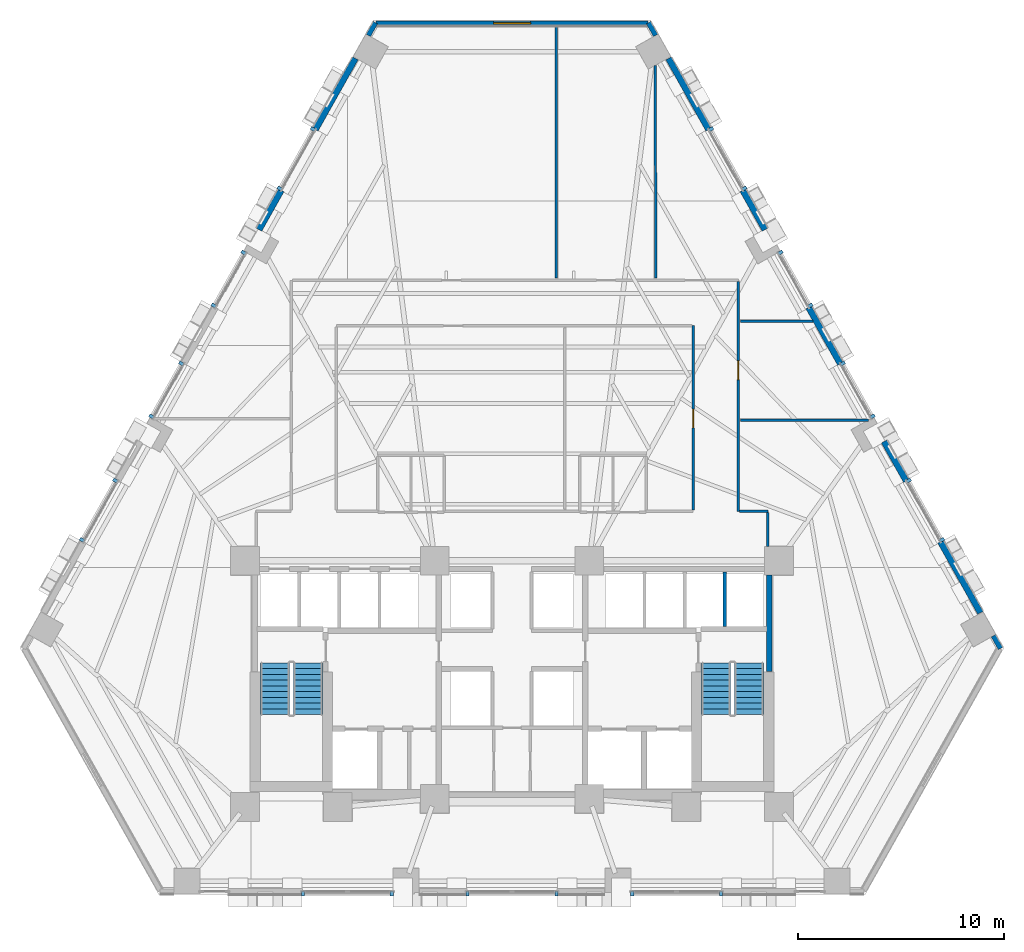
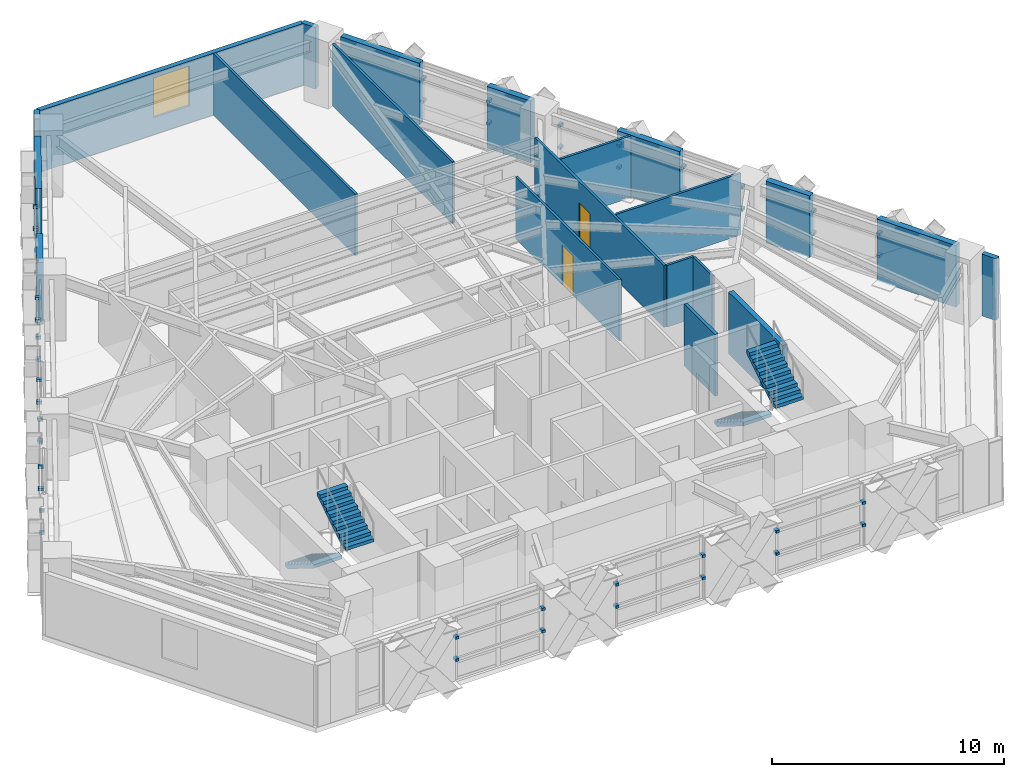
# One storey, part 9 of 13: 44 discrete accessories, 21 walls, 4 stair flights, 2 doors, 1 window, 3 openings, 2 elements without a shape of their own.
"""IFC4 building model written with IfcOpenShell, lengths in metres."""

from ifc_helpers import new_model, si_unit, direction, frame, frame_2d, origin, origin_2d, place, context, subcontext, project, spatial, polyline, rectangle, outline, extrude, material, layer, layer_set, type_object, element, fill, aggregate, save


model = new_model("IFC4")

# Units and contexts
model_context = context("Model", 3, precision=1e-05, world=origin(), true_north=direction((0.0, 1.0)))
body_context = subcontext(model_context, "Body", "Model", "MODEL_VIEW")
ifc_project = project(units=[si_unit("LENGTHUNIT", "METRE"), si_unit("AREAUNIT", "SQUARE_METRE"), si_unit("VOLUMEUNIT", "CUBIC_METRE"), si_unit("PLANEANGLEUNIT", "RADIAN"), si_unit("MASSUNIT", "GRAM", prefix="KILO")], contexts=[model_context])

# Site, building, storey
site_placement = place(None, origin())
site = spatial("IfcSite", under=ifc_project, at=site_placement, CompositionType="ELEMENT")
building_placement = place(site_placement, origin())
building = spatial("IfcBuilding", under=site, at=building_placement, Name="Quenlor Broadcast Tower", CompositionType="ELEMENT")
storey_placement = place(building_placement, frame((0.0, 0.0, 52.10009765625)))
storey = spatial("IfcBuildingStorey", under=building, at=storey_placement, Name="L13", CompositionType="ELEMENT", Elevation=52.10009765625)

# Walls
ifc_material_1 = material(Name="Concrete C40/50", Category="concrete")
ifc_layer_1 = layer(ifc_material_1, 0.25)
ifc_layer_set_1 = layer_set([ifc_layer_1], Name="Fire Rated Concrete C40/50 Core Wall 250")
wall_type_1 = type_object("IfcWallType", Name="Fire Rated Concrete C40/50 Core Wall 250", PredefinedType="PARTITIONING", material=ifc_layer_set_1)
wall_1_placement = place(storey_placement, frame((12.47998046875, -10.179931640625, 0.0), z_axis=(0.0, 0.0, 1.0), x_axis=(0.0, 1.0, 0.0)))
element("IfcWall", 1, at=wall_1_placement, inside=storey, type_object=wall_type_1, Name="L13 Interior Wall CW-ST2-E2", PredefinedType="PARTITIONING", context=body_context, shape_type="SweptSolid", body=[
    extrude(rectangle(XDim=4.677978515625, YDim=0.25, at=frame_2d((2.3388671875, 0.0))), origin(), (0.0, 0.0, 1.0), 3.25),
])
ifc_material_2 = material(Name="Gypsum Fireboard Partition", Category="other")
ifc_layer_2 = layer(ifc_material_2, 0.159912109375)
ifc_layer_set_2 = layer_set([ifc_layer_2], Name="Fire Rated Shaft and Corridor Partition 160")
wall_type_2 = type_object("IfcWallType", Name="Fire Rated Shaft and Corridor Partition 160", PredefinedType="PARTITIONING", material=ifc_layer_set_2)
wall_2_placement = place(storey_placement, frame((10.324951171875, -7.992919921875, 0.0), z_axis=(0.0, 0.0, 1.0), x_axis=(0.0, 1.0, 0.0)))
element("IfcWall", 2, at=wall_2_placement, inside=storey, type_object=wall_type_2, Name="L13 Interior Wall CW-PLH-D3", PredefinedType="PARTITIONING", context=body_context, shape_type="SweptSolid", body=[
    extrude(rectangle(XDim=2.65283203125, YDim=0.159912109375, at=frame_2d((1.326416015625, 0.0))), origin(), (0.0, 0.0, 1.0), 3.25),
])

# Wall, opening, door
ifc_material_3 = material(Name="Gypsum Plasterboard Partition", Category="other")
ifc_layer_3 = layer(ifc_material_3, 0.1201171875)
ifc_layer_set_3 = layer_set([ifc_layer_3], Name="Standard Office Partition 120")
wall_type_3 = type_object("IfcWallType", Name="Standard Office Partition 120", PredefinedType="PARTITIONING", material=ifc_layer_set_3)
wall_3_placement = place(storey_placement, frame((10.985107421875, 8.738037109375, 0.0), z_axis=(0.0, 0.0, 1.0), x_axis=(0.0, -1.0, 0.0)))
wall_3 = element("IfcWall", 3, at=wall_3_placement, inside=storey, type_object=wall_type_3, Name="L13 Interior Wall PW-CR-04", PredefinedType="PARTITIONING", context=body_context, shape_type="SweptSolid", body=[
    extrude(rectangle(XDim=11.137939453125, YDim=0.1201171875, at=frame_2d((5.56884765625, 0.0))), origin(), (0.0, 0.0, 1.0), 3.25),
])
opening_1_placement = place(wall_3_placement, frame((3.837890625, 0.0, 0.0)))
opening_1 = element("IfcOpeningElement", 4, at=opening_1_placement, cuts=wall_3, Name="Opening ID-1", PredefinedType="OPENING", context=body_context, shape_type="SweptSolid", body=[
    extrude(rectangle(XDim=0.919921875, YDim=2.1201171875, at=frame_2d((0.4599609375, 1.06005859375))), frame((0.0, 0.070068359375, 0.0), z_axis=(0.0, -1.0, 0.0), x_axis=(1.0, 0.0, 0.0)), (0.0, 0.0, 1.0), 0.14013671875),
])
ifc_material_4 = material(Name="Solid Core Timber Oak", Category="wood")
door_type = type_object("IfcDoorType", Name="Single Leaf Timber Office Door 920x2120", OperationType="NOTDEFINED", PredefinedType="DOOR", material=ifc_material_4)
door_1_placement = place(opening_1_placement, origin())
door_1 = element("IfcDoor", 5, at=door_1_placement, inside=storey, type_object=door_type, Name="L13 Door DR-RM04", OperationType="SINGLE_SWING_RIGHT", OverallHeight=2.1201171875, OverallWidth=0.919921875, PredefinedType="DOOR", context=body_context, shape_type="SweptSolid", body=[
    extrude(rectangle(XDim=0.919921875, YDim=2.1201171875, at=frame_2d((0.4599609375, 1.06005859375))), frame((0.0, 0.02490234375, 0.0), z_axis=(0.0, -1.0, 0.0), x_axis=(1.0, 0.0, 0.0)), (0.0, 0.0, 1.0), 0.050048828125),
])
fill(opening_1, door_1)

# Walls
wall_4_placement = place(storey_placement, frame((11.047119140625, -2.39990234375, 0.0), z_axis=(0.0, 0.0, 1.0), x_axis=(1.0, 0.0, 0.0)))
element("IfcWall", 6, at=wall_4_placement, inside=storey, type_object=wall_type_3, Name="L13 Interior Wall PW-CR-05", PredefinedType="PARTITIONING", context=body_context, shape_type="SweptSolid", body=[
    extrude(rectangle(XDim=1.36279296875, YDim=0.1201171875, at=frame_2d((0.681396484375, 0.0))), origin(), (0.0, 0.0, 1.0), 3.25),
])
wall_5_placement = place(storey_placement, frame((12.409912109375, -2.4619140625, 0.0), z_axis=(0.0, 0.0, 1.0), x_axis=(0.0, -1.0, 0.0)))
element("IfcWall", 7, at=wall_5_placement, inside=storey, type_object=wall_type_3, Name="L13 Interior Wall PW-CR-06", PredefinedType="PARTITIONING", context=body_context, shape_type="SweptSolid", body=[
    extrude(rectangle(XDim=1.635986328125, YDim=0.1201171875, at=frame_2d((0.81787109375, 0.0))), origin(), (0.0, 0.0, 1.0), 3.25),
])

# Wall, opening, door
wall_6_placement = place(storey_placement, frame((8.784912109375, -2.337890625, 0.0), z_axis=(0.0, 0.0, 1.0), x_axis=(0.0, 1.0, 0.0)))
wall_6 = element("IfcWall", 8, at=wall_6_placement, inside=storey, type_object=wall_type_3, Name="L13 Interior Wall PW-CR-09", PredefinedType="PARTITIONING", context=body_context, shape_type="SweptSolid", body=[
    extrude(rectangle(XDim=8.93798828125, YDim=0.1201171875, at=frame_2d((4.468994140625, 0.0))), origin(), (0.0, 0.0, 1.0), 3.25),
])
opening_2_placement = place(wall_6_placement, frame((3.97802734375, 0.0, 0.0)))
opening_2 = element("IfcOpeningElement", 9, at=opening_2_placement, cuts=wall_6, Name="Opening ID-1", PredefinedType="OPENING", context=body_context, shape_type="SweptSolid", body=[
    extrude(rectangle(XDim=0.919921875, YDim=2.1201171875, at=frame_2d((0.4599609375, 1.06005859375))), frame((0.0, 0.070068359375, 0.0), z_axis=(0.0, -1.0, 0.0), x_axis=(1.0, 0.0, 0.0)), (0.0, 0.0, 1.0), 0.14013671875),
])
door_2_placement = place(opening_2_placement, origin())
door_2 = element("IfcDoor", 10, at=door_2_placement, inside=storey, type_object=door_type, Name="L13 Door DR-RM06", OperationType="SINGLE_SWING_RIGHT", OverallHeight=2.1201171875, OverallWidth=0.919921875, PredefinedType="DOOR", context=body_context, shape_type="SweptSolid", body=[
    extrude(rectangle(XDim=0.919921875, YDim=2.1201171875, at=frame_2d((0.4599609375, 1.06005859375))), frame((0.0, 0.02490234375, 0.0), z_axis=(0.0, -1.0, 0.0), x_axis=(1.0, 0.0, 0.0)), (0.0, 0.0, 1.0), 0.050048828125),
])
fill(opening_2, door_2)

# Walls
wall_7_placement = place(storey_placement, frame((2.139892578125, 8.909912109375, 0.0), z_axis=(0.0, 0.0, 1.0), x_axis=(0.0, 1.0, 0.0)))
element("IfcWall", 11, at=wall_7_placement, inside=storey, type_object=wall_type_3, Name="L13 Interior Wall PW-DV-01", PredefinedType="PARTITIONING", context=body_context, shape_type="SweptSolid", body=[
    extrude(rectangle(XDim=12.239990234375, YDim=0.1201171875, at=frame_2d((6.1201171875, 0.0))), origin(), (0.0, 0.0, 1.0), 3.25),
])
wall_8_placement = place(storey_placement, frame((6.9443359375, 19.227783203125, 0.0), z_axis=(0.0, 0.0, 1.0), x_axis=(0.003407296486, -0.999994195148, 0.0)))
element("IfcWall", 12, at=wall_8_placement, inside=storey, type_object=wall_type_3, Name="L13 Interior Wall PW-DV-02", PredefinedType="PARTITIONING", context=body_context, shape_type="SweptSolid", body=[
    extrude(rectangle(XDim=10.31787109375, YDim=0.1201171875, at=frame_2d((5.158935546875, 0.0))), origin(), (0.0, 0.0, 1.0), 3.25),
])
wall_9_placement = place(storey_placement, frame((14.59326171875, 6.820068359375, 0.0), z_axis=(0.0, 0.0, 1.0), x_axis=(-1.0, 0.0, 0.0)))
element("IfcWall", 13, at=wall_9_placement, inside=storey, type_object=wall_type_3, Name="L13 Interior Wall PW-DV-03", PredefinedType="PARTITIONING", context=body_context, shape_type="SweptSolid", body=[
    extrude(rectangle(XDim=3.498291015625, YDim=0.1201171875, at=frame_2d((1.7490234375, 0.0))), origin(), (0.0, 0.0, 1.0), 3.25),
])
wall_10_placement = place(storey_placement, frame((17.2841796875, 2.02001953125, 0.0), z_axis=(0.0, 0.0, 1.0), x_axis=(-1.0, 0.0, 0.0)))
element("IfcWall", 14, at=wall_10_placement, inside=storey, type_object=wall_type_3, Name="L13 Interior Wall PW-DV-04", PredefinedType="PARTITIONING", context=body_context, shape_type="SweptSolid", body=[
    extrude(rectangle(XDim=6.189208984375, YDim=0.1201171875, at=frame_2d((3.0947265625, 0.0))), origin(), (0.0, 0.0, 1.0), 3.25),
])
ifc_material_5 = material(Name="Precast concrete C40/50", Category="concrete")
ifc_layer_4 = layer(ifc_material_5, 0.239990234375)
ifc_layer_set_4 = layer_set([ifc_layer_4], Name="Terrace Threshold Precast Concrete C40/50 Wall 240")
wall_type_4 = type_object("IfcWallType", Name="Terrace Threshold Precast Concrete C40/50 Wall 240", PredefinedType="STANDARD", material=ifc_layer_set_4)
wall_11_placement = place(storey_placement, frame((6.621826171875, 21.30126953125, 0.0), z_axis=(0.0, 0.0, 1.0), x_axis=(0.490261239633, -0.871575537125, 0.0)))
element("IfcWall", 15, at=wall_11_placement, inside=storey, type_object=wall_type_4, Name="L13 Exterior Wall L13-SHD-NES0", PredefinedType="STANDARD", context=body_context, shape_type="SweptSolid", body=[
    extrude(rectangle(XDim=0.7080078125, YDim=0.239990234375, at=frame_2d((0.35400390625, 0.0))), origin(), (0.0, 0.0, 1.0), 3.25),
])
wall_12_placement = place(storey_placement, frame((23.351806640625, -8.44091796875, 0.0), z_axis=(0.0, 0.0, 1.0), x_axis=(0.490523074758, -0.871428203084, 0.0)))
element("IfcWall", 16, at=wall_12_placement, inside=storey, type_object=wall_type_4, Name="L13 Exterior Wall L13-SHD-NES1", PredefinedType="STANDARD", context=body_context, shape_type="SweptSolid", body=[
    extrude(rectangle(XDim=0.708251953125, YDim=0.239990234375, at=frame_2d((0.35400390625, 0.0))), origin(), (0.0, 0.0, 1.0), 3.25),
])
wall_13_placement = place(storey_placement, frame((-6.968994140625, 20.68408203125, 0.0), z_axis=(0.0, 0.0, 1.0), x_axis=(0.490261239633, 0.871575537125, 0.0)))
element("IfcWall", 17, at=wall_13_placement, inside=storey, type_object=wall_type_4, Name="L13 Exterior Wall L13-SHD-NWS1", PredefinedType="STANDARD", context=body_context, shape_type="SweptSolid", body=[
    extrude(rectangle(XDim=0.7080078125, YDim=0.239990234375, at=frame_2d((0.35400390625, 0.0))), origin(), (0.0, 0.0, 1.0), 3.25),
])

# Wall, opening, window
wall_14_placement = place(storey_placement, frame((6.598388671875, 21.27197265625, 0.0), z_axis=(0.0, 0.0, 1.0), x_axis=(-1.0, 0.0, 0.0)))
wall_14 = element("IfcWall", 18, at=wall_14_placement, inside=storey, type_object=wall_type_4, Name="L13 Exterior Wall L13-CNR-02", PredefinedType="STANDARD", context=body_context, shape_type="SweptSolid", body=[
    extrude(rectangle(XDim=13.186767578125, YDim=0.239990234375, at=frame_2d((6.59326171875, 0.0))), origin(), (0.0, 0.0, 1.0), 3.25),
])
opening_3_placement = place(wall_14_placement, frame((5.693115234375, 0.0, 0.89990234375)))
opening_3 = element("IfcOpeningElement", 19, at=opening_3_placement, cuts=wall_14, Name="Opening WN-1", PredefinedType="OPENING", context=body_context, shape_type="SweptSolid", body=[
    extrude(rectangle(XDim=1.800048828125, YDim=2.10009765625, at=frame_2d((0.89990234375, 1.050048828125))), frame((0.0, 0.1298828125, 0.0), z_axis=(0.0, -1.0, 0.0), x_axis=(1.0, 0.0, 0.0)), (0.0, 0.0, 1.0), 0.260009765625),
])
ifc_material_6 = material(Name="Thermally Broken Aluminium and Low-E Glass", Category="aluminium")
window_type = type_object("IfcWindowType", Name="Tower Acoustic Vision Window 1800x2100", PartitioningType="SINGLE_PANEL", PredefinedType="WINDOW", material=ifc_material_6)
window_placement = place(opening_3_placement, origin())
window = element("IfcWindow", 20, at=window_placement, inside=storey, type_object=window_type, Name="L13 Corner Chamfer Window 2", OverallHeight=2.10009765625, OverallWidth=1.800048828125, PartitioningType="SINGLE_PANEL", PredefinedType="WINDOW", context=body_context, shape_type="SweptSolid", body=[
    extrude(rectangle(XDim=1.800048828125, YDim=2.10009765625, at=frame_2d((0.89990234375, 1.050048828125))), frame((0.0, 0.030029296875, 0.0), z_axis=(0.0, -1.0, 0.0), x_axis=(1.0, 0.0, 0.0)), (0.0, 0.0, 1.0), 0.06005859375),
])
fill(opening_3, window)

# Walls
ifc_material_7 = material(Name="Precast concrete C40/50", Category="concrete")
ifc_layer_5 = layer(ifc_material_7, 0.300048828125)
ifc_layer_set_5 = layer_set([ifc_layer_5], Name="Terracotta Precast Concrete C40/50 Spandrel Wall 300")
wall_type_5 = type_object("IfcWallType", Name="Terracotta Precast Concrete C40/50 Spandrel Wall 300", PredefinedType="STANDARD", material=ifc_layer_set_5)
wall_15_placement = place(storey_placement, frame((7.5966796875, 19.568603515625, 0.0), z_axis=(0.0, 0.0, 1.0), x_axis=(0.490240735008, -0.871587070659, 0.0)))
element("IfcWall", 21, at=wall_15_placement, inside=storey, type_object=wall_type_5, Name="L13 Exterior Wall L13-NEA-SP1", PredefinedType="STANDARD", context=body_context, shape_type="SweptSolid", body=[
    extrude(rectangle(XDim=3.95703125, YDim=0.300048828125, at=frame_2d((1.978515625, 0.0))), origin(), (0.0, 0.0, 1.0), 3.25),
])
wall_16_placement = place(storey_placement, frame((11.194091796875, 13.1728515625, 0.0), z_axis=(0.0, 0.0, 1.0), x_axis=(0.490324540864, -0.871539927156, 0.0)))
element("IfcWall", 22, at=wall_16_placement, inside=storey, type_object=wall_type_5, Name="L13 Exterior Wall L13-NEA-SP2", PredefinedType="STANDARD", context=body_context, shape_type="SweptSolid", body=[
    extrude(rectangle(XDim=2.197265625, YDim=0.300048828125, at=frame_2d((1.0986328125, 0.0))), origin(), (0.0, 0.0, 1.0), 3.25),
])
wall_17_placement = place(storey_placement, frame((18.049560546875, 0.985595703125, 0.0), z_axis=(0.0, 0.0, 1.0), x_axis=(0.490277063651, -0.871566635925, 0.0)))
element("IfcWall", 23, at=wall_17_placement, inside=storey, type_object=wall_type_5, Name="L13 Exterior Wall L13-NEC-SP1", PredefinedType="STANDARD", context=body_context, shape_type="SweptSolid", body=[
    extrude(rectangle(XDim=2.197509765625, YDim=0.300048828125, at=frame_2d((1.0986328125, 0.0))), origin(), (0.0, 0.0, 1.0), 3.25),
])
wall_18_placement = place(storey_placement, frame((20.784423828125, -3.87646484375, 0.0), z_axis=(0.0, 0.0, 1.0), x_axis=(0.490267098362, -0.871572241563, 0.0)))
element("IfcWall", 24, at=wall_18_placement, inside=storey, type_object=wall_type_5, Name="L13 Exterior Wall L13-NEC-SP2", PredefinedType="STANDARD", context=body_context, shape_type="SweptSolid", body=[
    extrude(rectangle(XDim=3.956787109375, YDim=0.300048828125, at=frame_2d((1.978515625, 0.0))), origin(), (0.0, 0.0, 1.0), 3.25),
])
wall_19_placement = place(storey_placement, frame((14.390869140625, 7.48974609375, 0.0), z_axis=(0.0, 0.0, 1.0), x_axis=(0.490290775148, -0.871558922738, 0.0)))
element("IfcWall", 25, at=wall_19_placement, inside=storey, type_object=wall_type_5, Name="L13 Exterior Wall L13-NE-SP1", PredefinedType="STANDARD", context=body_context, shape_type="SweptSolid", body=[
    extrude(rectangle(XDim=3.1396484375, YDim=0.300048828125, at=frame_2d((1.56982421875, 0.0))), origin(), (0.0, 0.0, 1.0), 3.25),
])
wall_20_placement = place(storey_placement, frame((-12.271484375, 11.2578125, 0.0), z_axis=(0.0, 0.0, 1.0), x_axis=(0.490324540864, 0.871539927156, 0.0)))
element("IfcWall", 26, at=wall_20_placement, inside=storey, type_object=wall_type_5, Name="L13 Exterior Wall L13-NWC-SP1", PredefinedType="STANDARD", context=body_context, shape_type="SweptSolid", body=[
    extrude(rectangle(XDim=2.197265625, YDim=0.300048828125, at=frame_2d((1.0986328125, 0.0))), origin(), (0.0, 0.0, 1.0), 3.25),
])
wall_21_placement = place(storey_placement, frame((-9.53662109375, 16.11962890625, 0.0), z_axis=(0.0, 0.0, 1.0), x_axis=(0.490240735008, 0.871587070659, 0.0)))
element("IfcWall", 27, at=wall_21_placement, inside=storey, type_object=wall_type_5, Name="L13 Exterior Wall L13-NWC-SP2", PredefinedType="STANDARD", context=body_context, shape_type="SweptSolid", body=[
    extrude(rectangle(XDim=3.95703125, YDim=0.300048828125, at=frame_2d((1.978515625, 0.0))), origin(), (0.0, 0.0, 1.0), 3.25),
])

# Stair, stair flights
ifc_material_8 = material(Name="Precast concrete C40/50", Category="concrete")
stair_type = type_object("IfcStairType", Name="Precast Concrete C40/50 Dogleg Stair H350", PredefinedType="HALF_TURN_STAIR", material=ifc_material_8)
stair_1_placement = place(storey_placement, origin())
stair_1 = element("IfcStair", 28, at=stair_1_placement, inside=storey, type_object=stair_type, Name="L13 West Core Fire-Isolated Exit Stair ST-1", PredefinedType="HALF_TURN_STAIR")
ifc_material_9 = material(Name="Precast concrete C40/50", Category="concrete")
ifc_layer_6 = layer(ifc_material_9, 0.159912109375)
ifc_layer_set_6 = layer_set([ifc_layer_6], Name="Precast Concrete C40/50 Stair Flight H350")
stair_flight_type = type_object("IfcStairFlightType", Name="Precast Concrete C40/50 Stair Flight H350", PredefinedType="STRAIGHT", material=ifc_layer_set_6)
stair_flight_1_placement = place(storey_placement, frame((-11.5, -9.75, 0.0), z_axis=(0.0, 0.0, 1.0), x_axis=(0.0, -1.0, 0.0)))
stair_flight_1 = element("IfcStairFlight", 29, at=stair_flight_1_placement, type_object=stair_flight_type, Name="ST-1 flight 1", NumberOfRisers=10, NumberOfTreads=9, PredefinedType="STRAIGHT", RiserHeight=0.175, TreadLength=0.28, context=body_context, shape_type="SweptSolid", body=[
    extrude(outline(polyline([(0.0, 0.0), (0.0, 0.175048828125), (0.280029296875, 0.175048828125), (0.280029296875, 0.35009765625), (0.56005859375, 0.35009765625), (0.56005859375, 0.52490234375), (0.840087890625, 0.52490234375), (0.840087890625, 0.699951171875), (1.1201171875, 0.699951171875), (1.1201171875, 0.875), (1.39990234375, 0.875), (1.39990234375, 1.050048828125), (1.679931640625, 1.050048828125), (1.679931640625, 1.22509765625), (1.9599609375, 1.22509765625), (1.9599609375, 1.39990234375), (2.239990234375, 1.39990234375), (2.239990234375, 1.574951171875), (2.52001953125, 1.574951171875), (2.52001953125, 1.75), (2.52001953125, 1.398193359375), (0.28271484375, 0.0), (0.0, 0.0)])), frame((0.0, 0.699951171875, 0.0), z_axis=(0.0, -1.0, 0.0), x_axis=(1.0, 0.0, 0.0)), (0.0, 0.0, 1.0), 1.39990234375),
])
stair_flight_2_placement = place(storey_placement, frame((-9.89990234375, -12.27001953125, 1.75), z_axis=(0.0, 0.0, 1.0), x_axis=(0.0, 1.0, 0.0)))
stair_flight_2 = element("IfcStairFlight", 30, at=stair_flight_2_placement, type_object=stair_flight_type, Name="ST-1 flight 2", NumberOfRisers=10, NumberOfTreads=9, PredefinedType="STRAIGHT", RiserHeight=0.175, TreadLength=0.28, context=body_context, shape_type="SweptSolid", body=[
    extrude(outline(polyline([(0.0, 0.0), (0.0, 0.175048828125), (0.280029296875, 0.175048828125), (0.280029296875, 0.35009765625), (0.56005859375, 0.35009765625), (0.56005859375, 0.52490234375), (0.840087890625, 0.52490234375), (0.840087890625, 0.699951171875), (1.1201171875, 0.699951171875), (1.1201171875, 0.875), (1.39990234375, 0.875), (1.39990234375, 1.050048828125), (1.679931640625, 1.050048828125), (1.679931640625, 1.22509765625), (1.9599609375, 1.22509765625), (1.9599609375, 1.39990234375), (2.239990234375, 1.39990234375), (2.239990234375, 1.574951171875), (2.52001953125, 1.574951171875), (2.52001953125, 1.75), (2.52001953125, 1.398193359375), (0.28271484375, 0.0), (0.0, 0.0)])), frame((0.0, 0.699951171875, 0.0), z_axis=(0.0, -1.0, 0.0), x_axis=(1.0, 0.0, 0.0)), (0.0, 0.0, 1.0), 1.39990234375),
])
aggregate(stair_1, [stair_flight_1, stair_flight_2])

stair_2_placement = place(storey_placement, origin())
stair_2 = element("IfcStair", 31, at=stair_2_placement, inside=storey, type_object=stair_type, Name="L13 East Core Fire-Isolated Exit Stair ST-2", PredefinedType="HALF_TURN_STAIR")
stair_flight_3_placement = place(storey_placement, frame((9.89990234375, -9.75, 0.0), z_axis=(0.0, 0.0, 1.0), x_axis=(0.0, -1.0, 0.0)))
stair_flight_3 = element("IfcStairFlight", 32, at=stair_flight_3_placement, type_object=stair_flight_type, Name="ST-2 flight 1", NumberOfRisers=10, NumberOfTreads=9, PredefinedType="STRAIGHT", RiserHeight=0.175, TreadLength=0.28, context=body_context, shape_type="SweptSolid", body=[
    extrude(outline(polyline([(0.0, 0.0), (0.0, 0.175048828125), (0.280029296875, 0.175048828125), (0.280029296875, 0.35009765625), (0.56005859375, 0.35009765625), (0.56005859375, 0.52490234375), (0.840087890625, 0.52490234375), (0.840087890625, 0.699951171875), (1.1201171875, 0.699951171875), (1.1201171875, 0.875), (1.39990234375, 0.875), (1.39990234375, 1.050048828125), (1.679931640625, 1.050048828125), (1.679931640625, 1.22509765625), (1.9599609375, 1.22509765625), (1.9599609375, 1.39990234375), (2.239990234375, 1.39990234375), (2.239990234375, 1.574951171875), (2.52001953125, 1.574951171875), (2.52001953125, 1.75), (2.52001953125, 1.398193359375), (0.28271484375, 0.0), (0.0, 0.0)])), frame((0.0, 0.699951171875, 0.0), z_axis=(0.0, -1.0, 0.0), x_axis=(1.0, 0.0, 0.0)), (0.0, 0.0, 1.0), 1.39990234375),
])
stair_flight_4_placement = place(storey_placement, frame((11.5, -12.27001953125, 1.75), z_axis=(0.0, 0.0, 1.0), x_axis=(0.0, 1.0, 0.0)))
stair_flight_4 = element("IfcStairFlight", 33, at=stair_flight_4_placement, type_object=stair_flight_type, Name="ST-2 flight 2", NumberOfRisers=10, NumberOfTreads=9, PredefinedType="STRAIGHT", RiserHeight=0.175, TreadLength=0.28, context=body_context, shape_type="SweptSolid", body=[
    extrude(outline(polyline([(0.0, 0.0), (0.0, 0.175048828125), (0.280029296875, 0.175048828125), (0.280029296875, 0.35009765625), (0.56005859375, 0.35009765625), (0.56005859375, 0.52490234375), (0.840087890625, 0.52490234375), (0.840087890625, 0.699951171875), (1.1201171875, 0.699951171875), (1.1201171875, 0.875), (1.39990234375, 0.875), (1.39990234375, 1.050048828125), (1.679931640625, 1.050048828125), (1.679931640625, 1.22509765625), (1.9599609375, 1.22509765625), (1.9599609375, 1.39990234375), (2.239990234375, 1.39990234375), (2.239990234375, 1.574951171875), (2.52001953125, 1.574951171875), (2.52001953125, 1.75), (2.52001953125, 1.398193359375), (0.28271484375, 0.0), (0.0, 0.0)])), frame((0.0, 0.699951171875, 0.0), z_axis=(0.0, -1.0, 0.0), x_axis=(1.0, 0.0, 0.0)), (0.0, 0.0, 1.0), 1.39990234375),
])
aggregate(stair_2, [stair_flight_3, stair_flight_4])

# Discrete accessories
ifc_material_10 = material(Name="Aluminium 6063-T6", Category="aluminium")
discrete_accessory_type = type_object("IfcDiscreteAccessoryType", Name="Stainless Mullion Baguette Support Bracket", PredefinedType="BRACKET", material=ifc_material_10)
for number, where, z_axis, x_axis, name in (
    (34, (10.134765625, -20.949951171875, 1.10009765625), (0.0, 0.0, 1.0), (-1.0, 0.0, 0.0), "L13 Baguette Mullion Bracket 1.1"),
    (35, (5.830810546875, -20.949951171875, 1.10009765625), (0.0, 0.0, 1.0), (-1.0, 0.0, 0.0), "L13 Baguette Mullion Bracket 1.2"),
    (36, (10.134765625, -20.949951171875, 2.27001953125), (0.0, 0.0, 1.0), (-1.0, 0.0, 0.0), "L13 Baguette Mullion Bracket 2.1"),
    (37, (5.830810546875, -20.949951171875, 2.27001953125), (0.0, 0.0, 1.0), (-1.0, 0.0, 0.0), "L13 Baguette Mullion Bracket 2.2"),
    (38, (-5.830810546875, -20.949951171875, 1.10009765625), (0.0, 0.0, 1.0), (-1.0, 0.0, 0.0), "L13 Baguette Mullion Bracket 1.1"),
    (39, (-10.134765625, -20.949951171875, 1.10009765625), (0.0, 0.0, 1.0), (-1.0, 0.0, 0.0), "L13 Baguette Mullion Bracket 1.2"),
    (40, (-5.830810546875, -20.949951171875, 2.27001953125), (0.0, 0.0, 1.0), (-1.0, 0.0, 0.0), "L13 Baguette Mullion Bracket 2.1"),
    (41, (-10.134765625, -20.949951171875, 2.27001953125), (0.0, 0.0, 1.0), (-1.0, 0.0, 0.0), "L13 Baguette Mullion Bracket 2.2"),
    (42, (2.154296875, -20.949951171875, 1.10009765625), (0.0, 0.0, 1.0), (-1.0, 0.0, 0.0), "L13 Baguette Mullion Bracket 1.1"),
    (43, (-2.154296875, -20.949951171875, 1.10009765625), (0.0, 0.0, 1.0), (-1.0, 0.0, 0.0), "L13 Baguette Mullion Bracket 1.2"),
    (44, (2.154296875, -20.949951171875, 2.27001953125), (0.0, 0.0, 1.0), (-1.0, 0.0, 0.0), "L13 Baguette Mullion Bracket 2.1"),
    (45, (-2.154296875, -20.949951171875, 2.27001953125), (0.0, 0.0, 1.0), (-1.0, 0.0, 0.0), "L13 Baguette Mullion Bracket 2.2"),
    (46, (9.652099609375, 16.138916015625, 1.10009765625), (0.0, 0.0, 1.0), (0.490243691999, -0.871585407436, 0.0), "L13 Baguette Mullion Bracket 1.1"),
    (47, (11.2705078125, 13.26171875, 1.10009765625), (0.0, 0.0, 1.0), (0.490243691999, -0.871585407436, 0.0), "L13 Baguette Mullion Bracket 1.2"),
    (48, (9.652099609375, 16.138916015625, 2.27001953125), (0.0, 0.0, 1.0), (0.490243691999, -0.871585407436, 0.0), "L13 Baguette Mullion Bracket 2.1"),
    (49, (11.2705078125, 13.26171875, 2.27001953125), (0.0, 0.0, 1.0), (0.490243691999, -0.871585407436, 0.0), "L13 Baguette Mullion Bracket 2.2"),
    (50, (19.242431640625, -0.91064453125, 1.10009765625), (0.0, 0.0, 1.0), (0.49025738277, -0.871577706599, 0.0), "L13 Baguette Mullion Bracket 1.1"),
    (51, (20.860595703125, -3.78759765625, 1.10009765625), (0.0, 0.0, 1.0), (0.49025738277, -0.871577706599, 0.0), "L13 Baguette Mullion Bracket 1.2"),
    (52, (19.242431640625, -0.91064453125, 2.27001953125), (0.0, 0.0, 1.0), (0.49025738277, -0.871577706599, 0.0), "L13 Baguette Mullion Bracket 2.1"),
    (53, (20.860595703125, -3.78759765625, 2.27001953125), (0.0, 0.0, 1.0), (0.49025738277, -0.871577706599, 0.0), "L13 Baguette Mullion Bracket 2.2"),
    (54, (13.021728515625, 10.148193359375, 1.10009765625), (0.0, 0.0, 1.0), (0.49027411577, -0.871568294172, 0.0), "L13 Baguette Mullion Bracket 1.1"),
    (55, (14.46728515625, 7.57861328125, 1.10009765625), (0.0, 0.0, 1.0), (0.49027411577, -0.871568294172, 0.0), "L13 Baguette Mullion Bracket 1.2"),
    (56, (13.021728515625, 10.148193359375, 2.27001953125), (0.0, 0.0, 1.0), (0.49027411577, -0.871568294172, 0.0), "L13 Baguette Mullion Bracket 2.1"),
    (57, (14.46728515625, 7.57861328125, 2.27001953125), (0.0, 0.0, 1.0), (0.49027411577, -0.871568294172, 0.0), "L13 Baguette Mullion Bracket 2.2"),
    (58, (16.045654296875, 4.7724609375, 1.10009765625), (0.0, 0.0, 1.0), (0.49027411577, -0.871568294172, 0.0), "L13 Baguette Mullion Bracket 1.1"),
    (59, (17.490966796875, 2.202880859375, 1.10009765625), (0.0, 0.0, 1.0), (0.49027411577, -0.871568294172, 0.0), "L13 Baguette Mullion Bracket 1.2"),
    (60, (16.045654296875, 4.7724609375, 2.27001953125), (0.0, 0.0, 1.0), (0.49027411577, -0.871568294172, 0.0), "L13 Baguette Mullion Bracket 2.1"),
    (61, (17.490966796875, 2.202880859375, 2.27001953125), (0.0, 0.0, 1.0), (0.49027411577, -0.871568294172, 0.0), "L13 Baguette Mullion Bracket 2.2"),
    (62, (-20.860595703125, -3.78759765625, 1.10009765625), (0.0, 0.0, 1.0), (0.49025738277, 0.871577706599, 0.0), "L13 Baguette Mullion Bracket 1.1"),
    (63, (-19.242431640625, -0.91064453125, 1.10009765625), (0.0, 0.0, 1.0), (0.49025738277, 0.871577706599, 0.0), "L13 Baguette Mullion Bracket 1.2"),
    (64, (-20.860595703125, -3.78759765625, 2.27001953125), (0.0, 0.0, 1.0), (0.49025738277, 0.871577706599, 0.0), "L13 Baguette Mullion Bracket 2.1"),
    (65, (-19.242431640625, -0.91064453125, 2.27001953125), (0.0, 0.0, 1.0), (0.49025738277, 0.871577706599, 0.0), "L13 Baguette Mullion Bracket 2.2"),
    (66, (-11.2705078125, 13.26171875, 1.10009765625), (0.0, 0.0, 1.0), (0.490243691999, 0.871585407436, 0.0), "L13 Baguette Mullion Bracket 1.1"),
    (67, (-9.652099609375, 16.138916015625, 1.10009765625), (0.0, 0.0, 1.0), (0.490243691999, 0.871585407436, 0.0), "L13 Baguette Mullion Bracket 1.2"),
    (68, (-11.2705078125, 13.26171875, 2.27001953125), (0.0, 0.0, 1.0), (0.490243691999, 0.871585407436, 0.0), "L13 Baguette Mullion Bracket 2.1"),
    (69, (-9.652099609375, 16.138916015625, 2.27001953125), (0.0, 0.0, 1.0), (0.490243691999, 0.871585407436, 0.0), "L13 Baguette Mullion Bracket 2.2"),
    (70, (-17.490966796875, 2.202880859375, 1.10009765625), (0.0, 0.0, 1.0), (0.49027411577, 0.871568294172, 0.0), "L13 Baguette Mullion Bracket 1.1"),
    (71, (-16.045654296875, 4.7724609375, 1.10009765625), (0.0, 0.0, 1.0), (0.49027411577, 0.871568294172, 0.0), "L13 Baguette Mullion Bracket 1.2"),
    (72, (-17.490966796875, 2.202880859375, 2.27001953125), (0.0, 0.0, 1.0), (0.49027411577, 0.871568294172, 0.0), "L13 Baguette Mullion Bracket 2.1"),
    (73, (-16.045654296875, 4.7724609375, 2.27001953125), (0.0, 0.0, 1.0), (0.49027411577, 0.871568294172, 0.0), "L13 Baguette Mullion Bracket 2.2"),
    (74, (-14.46728515625, 7.57861328125, 1.10009765625), (0.0, 0.0, 1.0), (0.49027411577, 0.871568294172, 0.0), "L13 Baguette Mullion Bracket 1.1"),
    (75, (-13.021728515625, 10.148193359375, 1.10009765625), (0.0, 0.0, 1.0), (0.49027411577, 0.871568294172, 0.0), "L13 Baguette Mullion Bracket 1.2"),
    (76, (-14.46728515625, 7.57861328125, 2.27001953125), (0.0, 0.0, 1.0), (0.49027411577, 0.871568294172, 0.0), "L13 Baguette Mullion Bracket 2.1"),
    (77, (-13.021728515625, 10.148193359375, 2.27001953125), (0.0, 0.0, 1.0), (0.49027411577, 0.871568294172, 0.0), "L13 Baguette Mullion Bracket 2.2"),
):
    element("IfcDiscreteAccessory", number, at=place(storey_placement, frame(where, z_axis=z_axis, x_axis=x_axis)), inside=storey, type_object=discrete_accessory_type, Name=name, PredefinedType="BRACKET", context=body_context, shape_type="SweptSolid", body=[
        extrude(rectangle(XDim=0.159912109375, YDim=0.239990234375, at=origin_2d()), origin(), (0.0, 0.0, 1.0), 0.139892578125),
    ])

save(model, "model.ifc")
